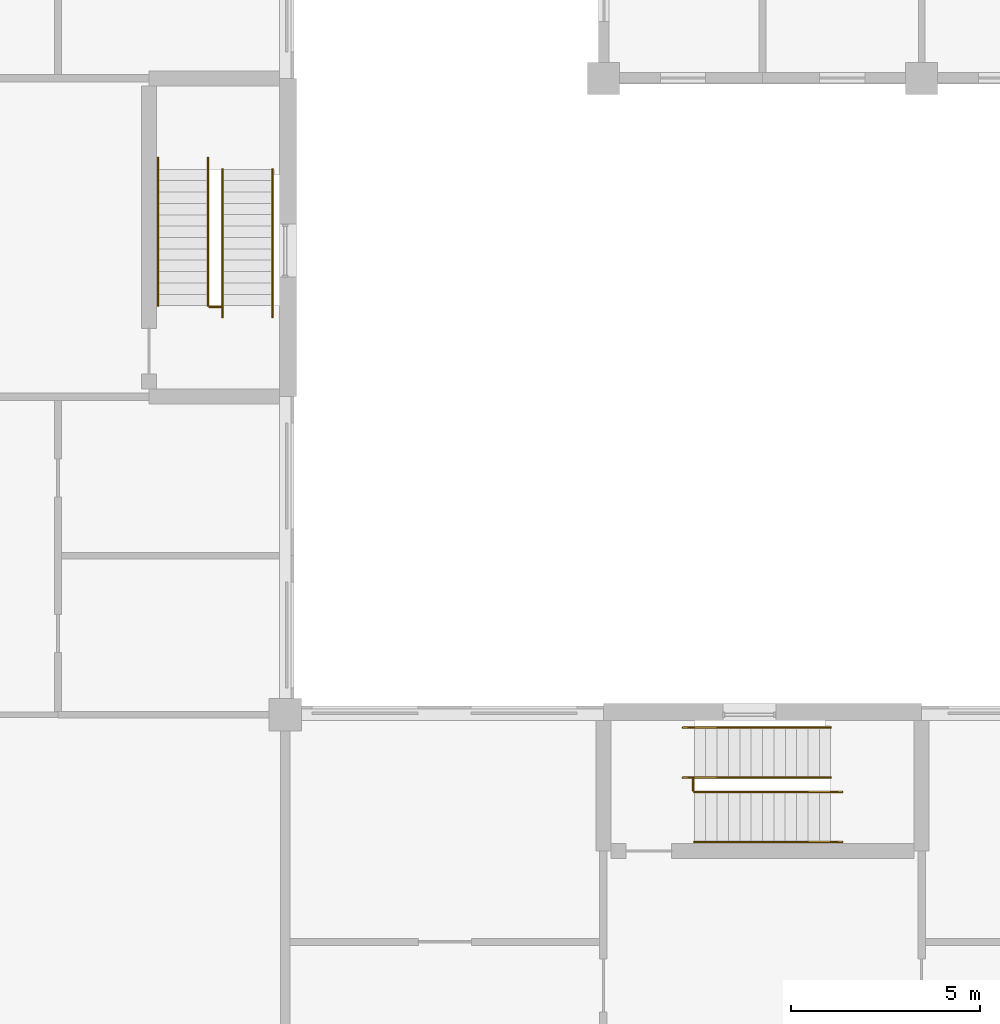
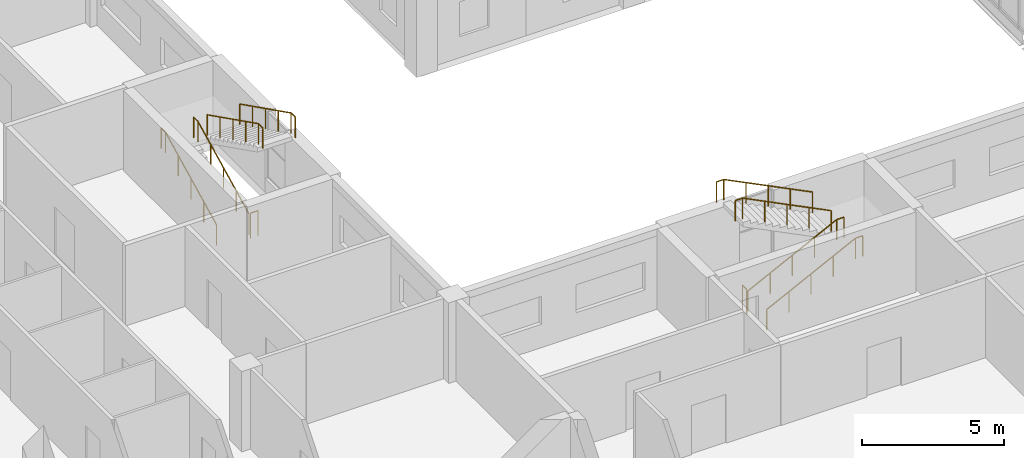
# One storey, part 85 of 94: 10 railings.
"""IFC4 building model written with IfcOpenShell, lengths in metres."""

from ifc_helpers import new_model, si_unit, direction, frame, origin, origin_2d, place, context, subcontext, project, spatial, circle, extrude, material, type_object, element, save


model = new_model("IFC4")

# Units and contexts
model_context = context("Model", 3, precision=1e-05, world=origin(), true_north=direction((0.0, 1.0)))
body_context = subcontext(model_context, "Body", "Model", "MODEL_VIEW")
ifc_project = project(units=[si_unit("LENGTHUNIT", "METRE"), si_unit("AREAUNIT", "SQUARE_METRE"), si_unit("VOLUMEUNIT", "CUBIC_METRE"), si_unit("PLANEANGLEUNIT", "RADIAN"), si_unit("MASSUNIT", "GRAM", prefix="KILO")], contexts=[model_context])

# Site, building, storey
site_placement = place(None, origin())
site = spatial("IfcSite", under=ifc_project, at=site_placement, CompositionType="ELEMENT")
building_placement = place(site_placement, origin())
building = spatial("IfcBuilding", under=site, at=building_placement, Name="Yavir Park General Hospital", CompositionType="ELEMENT")
storey_placement = place(building_placement, frame((0.0, 0.0, 4.5)))
storey = spatial("IfcBuildingStorey", under=building, at=storey_placement, Name="L01", CompositionType="ELEMENT", Elevation=4.5)

# Railings
ifc_material_1 = material(Name="Steel balustrade with infill rods", Category="steel")
railing_type_1 = type_object("IfcRailingType", Name="Stair guard, steel balustrade 1100 mm", PredefinedType="GUARDRAIL", material=ifc_material_1)
railing_1_placement = place(storey_placement, frame((35.969970703125, 31.60009765625, 0.0)))
element("IfcRailing", 1, at=railing_1_placement, inside=storey, type_object=railing_type_1, Name="Stair well guard PN1 L01", PredefinedType="GUARDRAIL", context=body_context, shape_type="SweptSolid", body=[
    extrude(circle(Radius=0.02392578125, at=origin_2d()), frame((0.0, 0.0, 1.076171875), z_axis=(0.0, 1.0, 0.0), x_axis=(-1.0, 0.0, 0.0)), (0.0, 0.0, 1.0), 0.2998046875),
    extrude(circle(Radius=0.02099609375, at=origin_2d()), origin(), (0.0, 0.0, 1.0), 1.052001953125),
    extrude(circle(Radius=0.02099609375, at=origin_2d()), frame((0.0, 0.2998046875, 0.0)), (0.0, 0.0, 1.0), 1.052001953125),
])
railing_2_placement = place(storey_placement, frame((23.199951171875, 44.3701171875, 0.0)))
element("IfcRailing", 2, at=railing_2_placement, inside=storey, type_object=railing_type_1, Name="Stair well guard SW1 L01", PredefinedType="GUARDRAIL", context=body_context, shape_type="SweptSolid", body=[
    extrude(circle(Radius=0.02392578125, at=origin_2d()), frame((0.0, 0.0, 1.076171875), z_axis=(1.0, 0.0, 0.0), x_axis=(0.0, 1.0, 0.0)), (0.0, 0.0, 1.0), 0.300048828125),
    extrude(circle(Radius=0.02099609375, at=origin_2d()), origin(), (0.0, 0.0, 1.0), 1.052001953125),
    extrude(circle(Radius=0.02099609375, at=origin_2d()), frame((0.300048828125, 0.0, 0.0)), (0.0, 0.0, 1.0), 1.052001953125),
])
ifc_material_2 = material(Name="Stainless steel tube 48 mm", Category="steel")
railing_type_2 = type_object("IfcRailingType", Name="Stair handrail, steel tube, 900 mm above the nosings", PredefinedType="HANDRAIL", material=ifc_material_2)
for number, where, name in (
    (3, (36.0, 30.239990234375, 0.14990234375), "Handrail PN1 L01 1"),
    (4, (36.0, 31.56005859375, 0.14990234375), "Handrail PN1 L01 2"),
):
    element("IfcRailing", number, at=place(storey_placement, frame(where)), inside=storey, type_object=railing_type_2, Name=name, PredefinedType="HANDRAIL", context=body_context, shape_type="SweptSolid", body=[
        extrude(circle(Radius=0.02392578125, at=origin_2d()), frame((0.0, 0.0, 0.8759765625), z_axis=(0.894427191, 0.0, 0.4472135955), x_axis=(0.0, 1.0, 0.0)), (0.0, 0.0, 1.0), 4.025146484375),
        extrude(circle(Radius=0.02392578125, at=origin_2d()), frame((3.60009765625, 0.0, 2.67578125), z_axis=(1.0, 0.0, 0.0), x_axis=(0.0, 1.0, 0.0)), (0.0, 0.0, 1.0), 0.2998046875),
        extrude(circle(Radius=0.02099609375, at=origin_2d()), origin(), (0.0, 0.0, 1.0), 0.851806640625),
        extrude(circle(Radius=0.02099609375, at=origin_2d()), frame((0.89990234375, 0.0, 0.449951171875)), (0.0, 0.0, 1.0), 0.851806640625),
        extrude(circle(Radius=0.02099609375, at=origin_2d()), frame((1.800048828125, 0.0, 0.89990234375)), (0.0, 0.0, 1.0), 0.851806640625),
        extrude(circle(Radius=0.02099609375, at=origin_2d()), frame((2.7001953125, 0.0, 1.35009765625)), (0.0, 0.0, 1.0), 0.851806640625),
        extrude(circle(Radius=0.02099609375, at=origin_2d()), frame((3.60009765625, 0.0, 1.800048828125)), (0.0, 0.0, 1.0), 0.851806640625),
        extrude(circle(Radius=0.02099609375, at=origin_2d()), frame((3.89990234375, 0.0, 1.800048828125)), (0.0, 0.0, 1.0), 0.851806640625),
    ])
for number, where, name in (
    (5, (39.60009765625, 33.260009765625, 2.10009765625), "Handrail PN1 L01 3"),
    (6, (39.60009765625, 31.93994140625, 2.10009765625), "Handrail PN1 L01 4"),
):
    element("IfcRailing", number, at=place(storey_placement, frame(where)), inside=storey, type_object=railing_type_2, Name=name, PredefinedType="HANDRAIL", context=body_context, shape_type="SweptSolid", body=[
        extrude(circle(Radius=0.02392578125, at=origin_2d()), frame((0.0, 0.0, 0.8759765625), z_axis=(-0.894451452574, 0.0, 0.447165069061), x_axis=(0.0, -1.0, 0.0)), (0.0, 0.0, 1.0), 4.02490234375),
        extrude(circle(Radius=0.02392578125, at=origin_2d()), frame((-3.60009765625, 0.0, 2.67578125), z_axis=(-1.0, 0.0, 0.0), x_axis=(0.0, -1.0, 0.0)), (0.0, 0.0, 1.0), 0.300048828125),
        extrude(circle(Radius=0.02099609375, at=origin_2d()), origin(), (0.0, 0.0, 1.0), 0.851806640625),
        extrude(circle(Radius=0.02099609375, at=origin_2d()), frame((-0.89990234375, 0.0, 0.449951171875)), (0.0, 0.0, 1.0), 0.851806640625),
        extrude(circle(Radius=0.02099609375, at=origin_2d()), frame((-1.800048828125, 0.0, 0.89990234375)), (0.0, 0.0, 1.0), 0.851806640625),
        extrude(circle(Radius=0.02099609375, at=origin_2d()), frame((-2.7001953125, 0.0, 1.349853515625)), (0.0, 0.0, 1.0), 0.851806640625),
        extrude(circle(Radius=0.02099609375, at=origin_2d()), frame((-3.60009765625, 0.0, 1.7998046875)), (0.0, 0.0, 1.0), 0.851806640625),
        extrude(circle(Radius=0.02099609375, at=origin_2d()), frame((-3.900146484375, 0.0, 1.7998046875)), (0.0, 0.0, 1.0), 0.851806640625),
    ])
for number, where, name in (
    (7, (21.840087890625, 44.39990234375, 0.14990234375), "Handrail SW1 L01 1"),
    (8, (23.159912109375, 44.39990234375, 0.14990234375), "Handrail SW1 L01 2"),
):
    element("IfcRailing", number, at=place(storey_placement, frame(where)), inside=storey, type_object=railing_type_2, Name=name, PredefinedType="HANDRAIL", context=body_context, shape_type="SweptSolid", body=[
        extrude(circle(Radius=0.02392578125, at=origin_2d()), frame((0.0, 0.0, 0.8759765625), z_axis=(0.0, 0.894427191, 0.4472135955), x_axis=(-1.0, 0.0, 0.0)), (0.0, 0.0, 1.0), 4.025146484375),
        extrude(circle(Radius=0.02392578125, at=origin_2d()), frame((0.0, 3.60009765625, 2.67578125), z_axis=(0.0, 1.0, 0.0), x_axis=(-1.0, 0.0, 0.0)), (0.0, 0.0, 1.0), 0.300048828125),
        extrude(circle(Radius=0.02099609375, at=origin_2d()), origin(), (0.0, 0.0, 1.0), 0.851806640625),
        extrude(circle(Radius=0.02099609375, at=origin_2d()), frame((0.0, 0.89990234375, 0.449951171875)), (0.0, 0.0, 1.0), 0.851806640625),
        extrude(circle(Radius=0.02099609375, at=origin_2d()), frame((0.0, 1.800048828125, 0.89990234375)), (0.0, 0.0, 1.0), 0.851806640625),
        extrude(circle(Radius=0.02099609375, at=origin_2d()), frame((0.0, 2.7001953125, 1.35009765625)), (0.0, 0.0, 1.0), 0.851806640625),
        extrude(circle(Radius=0.02099609375, at=origin_2d()), frame((0.0, 3.60009765625, 1.800048828125)), (0.0, 0.0, 1.0), 0.851806640625),
        extrude(circle(Radius=0.02099609375, at=origin_2d()), frame((0.0, 3.900146484375, 1.800048828125)), (0.0, 0.0, 1.0), 0.851806640625),
    ])
for number, where, name in (
    (9, (24.860107421875, 48.0, 2.10009765625), "Handrail SW1 L01 3"),
    (10, (23.5400390625, 48.0, 2.10009765625), "Handrail SW1 L01 4"),
):
    element("IfcRailing", number, at=place(storey_placement, frame(where)), inside=storey, type_object=railing_type_2, Name=name, PredefinedType="HANDRAIL", context=body_context, shape_type="SweptSolid", body=[
        extrude(circle(Radius=0.02392578125, at=origin_2d()), frame((0.0, 0.0, 0.8759765625), z_axis=(0.0, -0.894451452574, 0.447165069061), x_axis=(1.0, 0.0, 0.0)), (0.0, 0.0, 1.0), 4.02490234375),
        extrude(circle(Radius=0.02392578125, at=origin_2d()), frame((0.0, -3.60009765625, 2.67578125), z_axis=(0.0, -1.0, 0.0), x_axis=(1.0, 0.0, 0.0)), (0.0, 0.0, 1.0), 0.2998046875),
        extrude(circle(Radius=0.02099609375, at=origin_2d()), origin(), (0.0, 0.0, 1.0), 0.851806640625),
        extrude(circle(Radius=0.02099609375, at=origin_2d()), frame((0.0, -0.89990234375, 0.449951171875)), (0.0, 0.0, 1.0), 0.851806640625),
        extrude(circle(Radius=0.02099609375, at=origin_2d()), frame((0.0, -1.800048828125, 0.89990234375)), (0.0, 0.0, 1.0), 0.851806640625),
        extrude(circle(Radius=0.02099609375, at=origin_2d()), frame((0.0, -2.7001953125, 1.349853515625)), (0.0, 0.0, 1.0), 0.851806640625),
        extrude(circle(Radius=0.02099609375, at=origin_2d()), frame((0.0, -3.60009765625, 1.7998046875)), (0.0, 0.0, 1.0), 0.851806640625),
        extrude(circle(Radius=0.02099609375, at=origin_2d()), frame((0.0, -3.89990234375, 1.7998046875)), (0.0, 0.0, 1.0), 0.851806640625),
    ])

save(model, "model.ifc")
